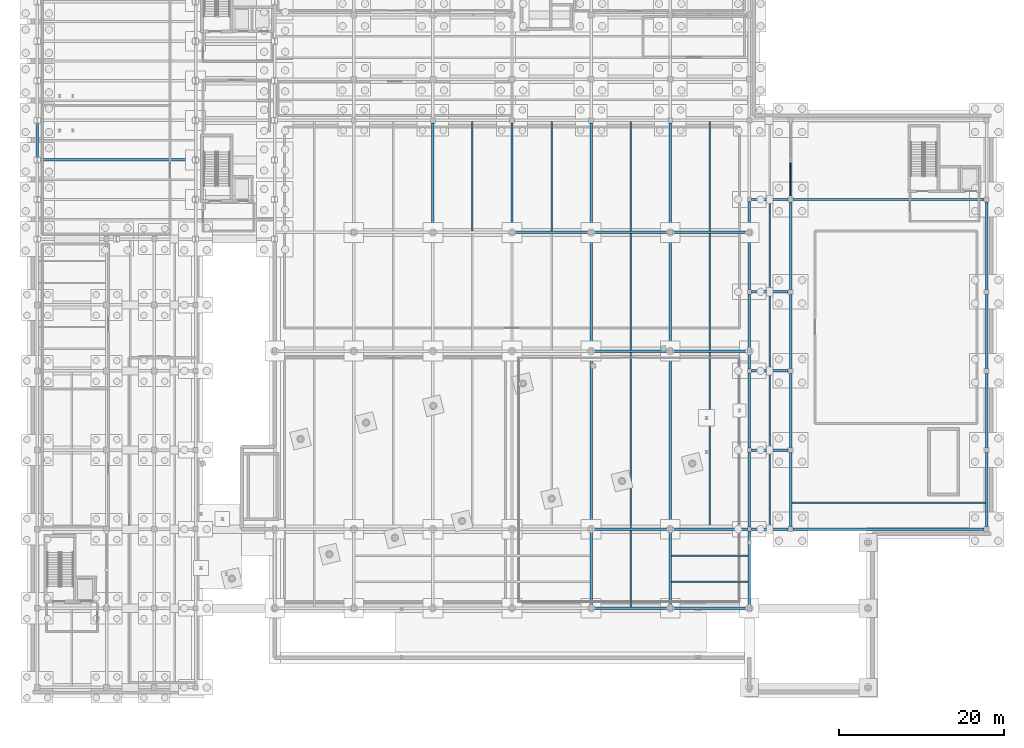
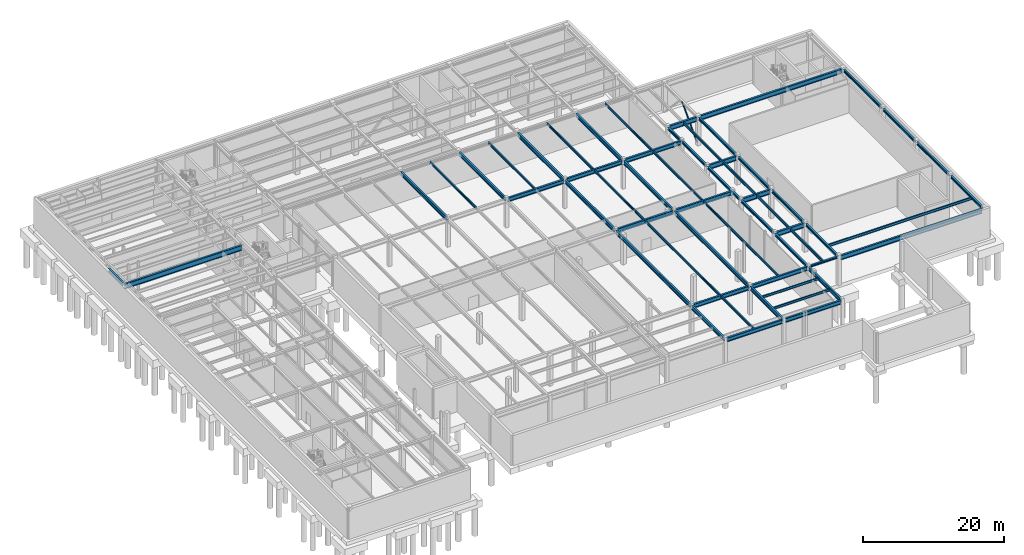
# One storey, part 17 of 33: 57 beams, 1 member.
"""IFC4 building model written with IfcOpenShell, lengths in metres."""

from ifc_helpers import new_model, si_unit, direction, frame, origin, origin_2d, place, context, subcontext, project, spatial, hollow_circle, i_section, extrude, material, material_profile, profile_set, type_object, element, save


model = new_model("IFC4")

# Units and contexts
model_context = context("Model", 3, precision=1e-05, world=origin(), true_north=direction((0.0, 1.0)))
body_context = subcontext(model_context, "Body", "Model", "MODEL_VIEW")
ifc_project = project(units=[si_unit("LENGTHUNIT", "METRE"), si_unit("AREAUNIT", "SQUARE_METRE"), si_unit("VOLUMEUNIT", "CUBIC_METRE"), si_unit("PLANEANGLEUNIT", "RADIAN"), si_unit("MASSUNIT", "GRAM", prefix="KILO")], contexts=[model_context])

# Site, building, storey
site_placement = place(None, origin())
site = spatial("IfcSite", under=ifc_project, at=site_placement, CompositionType="ELEMENT")
building_placement = place(site_placement, origin())
building = spatial("IfcBuilding", under=site, at=building_placement, Name="Nordkorset Police Headquarters", CompositionType="ELEMENT")
storey_placement = place(building_placement, frame((0.0, 0.0, -9.800048828125)))
storey = spatial("IfcBuildingStorey", under=building, at=storey_placement, Name="B02", CompositionType="ELEMENT", Elevation=-9.800048828125)

# Beams
ifc_material_1 = material(Name="Steel S355J2", Category="steel")
ifc_material_profile_1 = material_profile(ifc_material_1, i_section(OverallWidth=0.179931640625, OverallDepth=0.39990234375, WebThickness=0.008544921875, FlangeThickness=0.013427734375, FilletRadius=0.02099609375, at=origin_2d()), Name="IPE 400")
ifc_profile_set_1 = profile_set([ifc_material_profile_1], Name="Steel S355J2")
beam_type_1 = type_object("IfcBeamType", Name="Beam_IPE_400", PredefinedType="BEAM", material=ifc_profile_set_1)
for number, where, z_axis, x_axis, name in (
    (1, (52.800048828125, 84.14990234375, 4.77001953125), (0.0, 1.0, 0.0), (-1.0, 0.0, 0.0), "Composite Floor Beam SUB B02 2-3-1"),
    (2, (62.39990234375, 84.14990234375, 4.77001953125), (0.0, 1.0, 0.0), (-1.0, 0.0, 0.0), "Composite Floor Beam SUB B02 3-3-1"),
):
    element("IfcBeam", number, at=place(storey_placement, frame(where, z_axis=z_axis, x_axis=x_axis)), inside=storey, type_object=beam_type_1, Name=name, PredefinedType="BEAM", context=body_context, shape_type="SweptSolid", body=[
        extrude(i_section(OverallWidth=0.179931640625, OverallDepth=0.39990234375, WebThickness=0.008544921875, FlangeThickness=0.013427734375, FilletRadius=0.02099609375, at=origin_2d()), origin(), (0.0, 0.0, 1.0), 13.300048828125),
    ])
beam_1_placement = place(storey_placement, frame((72.0, 38.550048828125, 4.77001953125), z_axis=(0.0, 1.0, 0.0), x_axis=(-1.0, 0.0, 0.0)))
element("IfcBeam", 3, at=beam_1_placement, inside=storey, type_object=beam_type_1, Name="Composite Floor Beam SUB B02 4-0-1", PredefinedType="BEAM", context=body_context, shape_type="SweptSolid", body=[
    extrude(i_section(OverallWidth=0.179931640625, OverallDepth=0.39990234375, WebThickness=0.008544921875, FlangeThickness=0.013427734375, FilletRadius=0.02099609375, at=origin_2d()), origin(), (0.0, 0.0, 1.0), 9.300048828125),
])
beam_2_placement = place(storey_placement, frame((72.0, 48.14990234375, 4.77001953125), z_axis=(0.0, 1.0, 0.0), x_axis=(-1.0, 0.0, 0.0)))
element("IfcBeam", 4, at=beam_2_placement, inside=storey, type_object=beam_type_1, Name="Composite Floor Beam SUB B02 4-1-1", PredefinedType="BEAM", context=body_context, shape_type="SweptSolid", body=[
    extrude(i_section(OverallWidth=0.179931640625, OverallDepth=0.39990234375, WebThickness=0.008544921875, FlangeThickness=0.013427734375, FilletRadius=0.02099609375, at=origin_2d()), origin(), (0.0, 0.0, 1.0), 21.300048828125),
])
beam_3_placement = place(storey_placement, frame((72.0, 69.75, 4.77001953125), z_axis=(0.0, 1.0, 0.0), x_axis=(-1.0, 0.0, 0.0)))
element("IfcBeam", 5, at=beam_3_placement, inside=storey, type_object=beam_type_1, Name="Composite Floor Beam SUB B02 4-2-1", PredefinedType="BEAM", context=body_context, shape_type="SweptSolid", body=[
    extrude(i_section(OverallWidth=0.179931640625, OverallDepth=0.39990234375, WebThickness=0.008544921875, FlangeThickness=0.013427734375, FilletRadius=0.02099609375, at=origin_2d()), origin(), (0.0, 0.0, 1.0), 14.10009765625),
])
beam_4_placement = place(storey_placement, frame((72.0, 84.14990234375, 4.77001953125), z_axis=(0.0, 1.0, 0.0), x_axis=(-1.0, 0.0, 0.0)))
element("IfcBeam", 6, at=beam_4_placement, inside=storey, type_object=beam_type_1, Name="Composite Floor Beam SUB B02 4-3-1", PredefinedType="BEAM", context=body_context, shape_type="SweptSolid", body=[
    extrude(i_section(OverallWidth=0.179931640625, OverallDepth=0.39990234375, WebThickness=0.008544921875, FlangeThickness=0.013427734375, FilletRadius=0.02099609375, at=origin_2d()), origin(), (0.0, 0.0, 1.0), 13.300048828125),
])
for number, where, z_axis, x_axis, name in (
    (7, (76.949951171875, 41.60009765625, 4.77001953125), (1.0, 0.0, 0.0), (0.0, 1.0, 0.0), "Composite Floor Beam SUB B02 5-0-1"),
    (8, (76.949951171875, 44.800048828125, 4.77001953125), (1.0, 0.0, 0.0), (0.0, 1.0, 0.0), "Composite Floor Beam SUB B02 5-0-2"),
):
    element("IfcBeam", number, at=place(storey_placement, frame(where, z_axis=z_axis, x_axis=x_axis)), inside=storey, type_object=beam_type_1, Name=name, PredefinedType="BEAM", context=body_context, shape_type="SweptSolid", body=[
        extrude(i_section(OverallWidth=0.179931640625, OverallDepth=0.39990234375, WebThickness=0.008544921875, FlangeThickness=0.013427734375, FilletRadius=0.02099609375, at=origin_2d()), origin(), (0.0, 0.0, 1.0), 9.300048828125),
    ])
beam_5_placement = place(storey_placement, frame((81.60009765625, 48.14990234375, 4.77001953125), z_axis=(0.0, 1.0, 0.0), x_axis=(-1.0, 0.0, 0.0)))
element("IfcBeam", 9, at=beam_5_placement, inside=storey, type_object=beam_type_1, Name="Composite Floor Beam SUB B02 5-1-1", PredefinedType="BEAM", context=body_context, shape_type="SweptSolid", body=[
    extrude(i_section(OverallWidth=0.179931640625, OverallDepth=0.39990234375, WebThickness=0.008544921875, FlangeThickness=0.013427734375, FilletRadius=0.02099609375, at=origin_2d()), origin(), (0.0, 0.0, 1.0), 21.300048828125),
])
beam_6_placement = place(storey_placement, frame((81.60009765625, 69.75, 4.77001953125), z_axis=(0.0, 1.0, 0.0), x_axis=(-1.0, 0.0, 0.0)))
element("IfcBeam", 10, at=beam_6_placement, inside=storey, type_object=beam_type_1, Name="Composite Floor Beam SUB B02 5-2-1", PredefinedType="BEAM", context=body_context, shape_type="SweptSolid", body=[
    extrude(i_section(OverallWidth=0.179931640625, OverallDepth=0.39990234375, WebThickness=0.008544921875, FlangeThickness=0.013427734375, FilletRadius=0.02099609375, at=origin_2d()), origin(), (0.0, 0.0, 1.0), 14.10009765625),
])
beam_7_placement = place(storey_placement, frame((81.60009765625, 84.14990234375, 4.77001953125), z_axis=(0.0, 1.0, 0.0), x_axis=(-1.0, 0.0, 0.0)))
element("IfcBeam", 11, at=beam_7_placement, inside=storey, type_object=beam_type_1, Name="Composite Floor Beam SUB B02 5-3-1", PredefinedType="BEAM", context=body_context, shape_type="SweptSolid", body=[
    extrude(i_section(OverallWidth=0.179931640625, OverallDepth=0.39990234375, WebThickness=0.008544921875, FlangeThickness=0.013427734375, FilletRadius=0.02099609375, at=origin_2d()), origin(), (0.0, 0.0, 1.0), 13.300048828125),
])
ifc_material_2 = material(Name="Steel S355J2", Category="steel")
ifc_material_profile_2 = material_profile(ifc_material_2, i_section(OverallWidth=0.18994140625, OverallDepth=0.449951171875, WebThickness=0.009521484375, FlangeThickness=0.0146484375, FilletRadius=0.02099609375, at=origin_2d()), Name="IPE 450")
ifc_profile_set_2 = profile_set([ifc_material_profile_2], Name="Steel S355J2")
beam_type_2 = type_object("IfcBeamType", Name="Beam_IPE_450", PredefinedType="BEAM", material=ifc_profile_set_2)
for number, where, z_axis, x_axis, name in (
    (12, (88.89990234375, 48.14990234375, 4.7451171875), (0.0, 1.0, 0.0), (-1.0, 0.0, 0.0), "Composite Floor Beam V5 B02 0-0-1"),
    (13, (88.89990234375, 57.75, 4.7451171875), (0.0, 1.0, 0.0), (-1.0, 0.0, 0.0), "Composite Floor Beam V5 B02 0-1-1"),
):
    element("IfcBeam", number, at=place(storey_placement, frame(where, z_axis=z_axis, x_axis=x_axis)), inside=storey, type_object=beam_type_2, Name=name, PredefinedType="BEAM", context=body_context, shape_type="SweptSolid", body=[
        extrude(i_section(OverallWidth=0.18994140625, OverallDepth=0.449951171875, WebThickness=0.009521484375, FlangeThickness=0.0146484375, FilletRadius=0.02099609375, at=origin_2d()), origin(), (0.0, 0.0, 1.0), 9.300048828125),
    ])
beam_8_placement = place(storey_placement, frame((88.89990234375, 67.35009765625, 4.7451171875), z_axis=(0.0, 1.0, 0.0), x_axis=(-1.0, 0.0, 0.0)))
element("IfcBeam", 14, at=beam_8_placement, inside=storey, type_object=beam_type_2, Name="Composite Floor Beam V5 B02 0-2-1", PredefinedType="BEAM", context=body_context, shape_type="SweptSolid", body=[
    extrude(i_section(OverallWidth=0.18994140625, OverallDepth=0.449951171875, WebThickness=0.009521484375, FlangeThickness=0.0146484375, FilletRadius=0.02099609375, at=origin_2d()), origin(), (0.0, 0.0, 1.0), 9.2998046875),
])
beam_9_placement = place(storey_placement, frame((88.89990234375, 76.949951171875, 4.7451171875), z_axis=(0.0, 1.0, 0.0), x_axis=(-1.0, 0.0, 0.0)))
element("IfcBeam", 15, at=beam_9_placement, inside=storey, type_object=beam_type_2, Name="Composite Floor Beam V5 B02 0-3-1", PredefinedType="BEAM", context=body_context, shape_type="SweptSolid", body=[
    extrude(i_section(OverallWidth=0.18994140625, OverallDepth=0.449951171875, WebThickness=0.009521484375, FlangeThickness=0.0146484375, FilletRadius=0.02099609375, at=origin_2d()), origin(), (0.0, 0.0, 1.0), 10.900146484375),
])
beam_10_placement = place(storey_placement, frame((91.550048828125, 51.199951171875, 4.7451171875), z_axis=(1.0, 0.0, 0.0), x_axis=(0.0, 1.0, 0.0)))
element("IfcBeam", 16, at=beam_10_placement, inside=storey, type_object=beam_type_2, Name="Composite Floor Beam V5 B02 1-0-1", PredefinedType="BEAM", context=body_context, shape_type="SweptSolid", body=[
    extrude(i_section(OverallWidth=0.18994140625, OverallDepth=0.449951171875, WebThickness=0.009521484375, FlangeThickness=0.0146484375, FilletRadius=0.02099609375, at=origin_2d()), origin(), (0.0, 0.0, 1.0), 23.5),
])

# Member
ifc_material_3 = material(Name="Steel S355J2", Category="steel")
ifc_material_profile_3 = material_profile(ifc_material_3, hollow_circle(Radius=0.109619140625, WallThickness=0.010009765625, at=origin_2d()), Name="CHS 219.1x10")
ifc_profile_set_3 = profile_set([ifc_material_profile_3], Name="Steel S355J2")
member_type = type_object("IfcMemberType", Name="Brace_CHS_219.1x10", PredefinedType="BRACE", material=ifc_profile_set_3)
member_placement = place(storey_placement, frame((91.39990234375, 88.300048828125, 0.199951171875), z_axis=(0.0, 0.688541836645, 0.725196621055), x_axis=(-1.0, 0.0, 0.0)))
element("IfcMember", 17, at=member_placement, inside=storey, type_object=member_type, Name="Lateral Chevron Brace BF-V5-A B02 D1", PredefinedType="BRACE", context=body_context, shape_type="SweptSolid", body=[
    extrude(hollow_circle(Radius=0.109619140625, WallThickness=0.010009765625, at=origin_2d()), origin(), (0.0, 0.0, 1.0), 6.274169921875),
])

# Beams
ifc_material_4 = material(Name="Steel S355J2", Category="steel")
ifc_material_profile_4 = material_profile(ifc_material_4, i_section(OverallWidth=0.300048828125, OverallDepth=0.43994140625, WebThickness=0.011474609375, FlangeThickness=0.02099609375, FilletRadius=0.027099609375, at=origin_2d()), Name="HEA 450")
ifc_profile_set_4 = profile_set([ifc_material_profile_4], Name="Steel S355J2")
beam_type_3 = type_object("IfcBeamType", Name="Girder_HEA_450", PredefinedType="USERDEFINED", material=ifc_profile_set_4)
beam_11_placement = place(storey_placement, frame((86.39990234375, 48.25, 4.75), z_axis=(0.0, 1.0, 0.0), x_axis=(-1.0, 0.0, 0.0)))
element("IfcBeam", 18, at=beam_11_placement, inside=storey, type_object=beam_type_3, Name="Girder V5 B02 GY-0-0", ObjectType="GIRDER", PredefinedType="USERDEFINED", context=body_context, shape_type="SweptSolid", body=[
    extrude(i_section(OverallWidth=0.300048828125, OverallDepth=0.43994140625, WebThickness=0.011474609375, FlangeThickness=0.02099609375, FilletRadius=0.027099609375, at=origin_2d()), origin(), (0.0, 0.0, 1.0), 9.10009765625),
])
beam_12_placement = place(storey_placement, frame((86.39990234375, 57.85009765625, 4.75), z_axis=(0.0, 1.0, 0.0), x_axis=(-1.0, 0.0, 0.0)))
element("IfcBeam", 19, at=beam_12_placement, inside=storey, type_object=beam_type_3, Name="Girder V5 B02 GY-0-1", ObjectType="GIRDER", PredefinedType="USERDEFINED", context=body_context, shape_type="SweptSolid", body=[
    extrude(i_section(OverallWidth=0.300048828125, OverallDepth=0.43994140625, WebThickness=0.011474609375, FlangeThickness=0.02099609375, FilletRadius=0.027099609375, at=origin_2d()), origin(), (0.0, 0.0, 1.0), 9.099853515625),
])
beam_13_placement = place(storey_placement, frame((86.39990234375, 67.449951171875, 4.75), z_axis=(0.0, 1.0, 0.0), x_axis=(-1.0, 0.0, 0.0)))
element("IfcBeam", 20, at=beam_13_placement, inside=storey, type_object=beam_type_3, Name="Girder V5 B02 GY-0-2", ObjectType="GIRDER", PredefinedType="USERDEFINED", context=body_context, shape_type="SweptSolid", body=[
    extrude(i_section(OverallWidth=0.300048828125, OverallDepth=0.43994140625, WebThickness=0.011474609375, FlangeThickness=0.02099609375, FilletRadius=0.027099609375, at=origin_2d()), origin(), (0.0, 0.0, 1.0), 9.10009765625),
])
beam_14_placement = place(storey_placement, frame((86.39990234375, 77.050048828125, 4.75), z_axis=(0.0, 1.0, 0.0), x_axis=(-1.0, 0.0, 0.0)))
element("IfcBeam", 21, at=beam_14_placement, inside=storey, type_object=beam_type_3, Name="Girder V5 B02 GY-0-3", ObjectType="GIRDER", PredefinedType="USERDEFINED", context=body_context, shape_type="SweptSolid", body=[
    extrude(i_section(OverallWidth=0.300048828125, OverallDepth=0.43994140625, WebThickness=0.011474609375, FlangeThickness=0.02099609375, FilletRadius=0.027099609375, at=origin_2d()), origin(), (0.0, 0.0, 1.0), 10.699951171875),
])
for number, where, z_axis, x_axis, name in (
    (22, (91.39990234375, 48.300048828125, 4.75), (0.0, 1.0, 0.0), (-1.0, 0.0, 0.0), "Girder V5 B02 GY-1-0"),
    (23, (91.39990234375, 57.89990234375, 4.75), (0.0, 1.0, 0.0), (-1.0, 0.0, 0.0), "Girder V5 B02 GY-1-1"),
    (24, (91.39990234375, 67.5, 4.75), (0.0, 1.0, 0.0), (-1.0, 0.0, 0.0), "Girder V5 B02 GY-1-2"),
):
    element("IfcBeam", number, at=place(storey_placement, frame(where, z_axis=z_axis, x_axis=x_axis)), inside=storey, type_object=beam_type_3, Name=name, ObjectType="GIRDER", PredefinedType="USERDEFINED", context=body_context, shape_type="SweptSolid", body=[
        extrude(i_section(OverallWidth=0.300048828125, OverallDepth=0.43994140625, WebThickness=0.011474609375, FlangeThickness=0.02099609375, FilletRadius=0.027099609375, at=origin_2d()), origin(), (0.0, 0.0, 1.0), 9.0),
    ])
beam_15_placement = place(storey_placement, frame((91.39990234375, 77.10009765625, 4.75), z_axis=(0.0, 1.0, 0.0), x_axis=(-1.0, 0.0, 0.0)))
element("IfcBeam", 25, at=beam_15_placement, inside=storey, type_object=beam_type_3, Name="Girder V5 B02 GY-1-3", ObjectType="GIRDER", PredefinedType="USERDEFINED", context=body_context, shape_type="SweptSolid", body=[
    extrude(i_section(OverallWidth=0.300048828125, OverallDepth=0.43994140625, WebThickness=0.011474609375, FlangeThickness=0.02099609375, FilletRadius=0.027099609375, at=origin_2d()), origin(), (0.0, 0.0, 1.0), 10.599853515625),
])
for number, where, z_axis, x_axis, name in (
    (26, (115.199951171875, 48.300048828125, 4.75), (0.0, 1.0, 0.0), (-1.0, 0.0, 0.0), "Girder V5 B02 GY-2-0"),
    (27, (115.199951171875, 57.89990234375, 4.75), (0.0, 1.0, 0.0), (-1.0, 0.0, 0.0), "Girder V5 B02 GY-2-1"),
    (28, (115.199951171875, 67.5, 4.75), (0.0, 1.0, 0.0), (-1.0, 0.0, 0.0), "Girder V5 B02 GY-2-2"),
):
    element("IfcBeam", number, at=place(storey_placement, frame(where, z_axis=z_axis, x_axis=x_axis)), inside=storey, type_object=beam_type_3, Name=name, ObjectType="GIRDER", PredefinedType="USERDEFINED", context=body_context, shape_type="SweptSolid", body=[
        extrude(i_section(OverallWidth=0.300048828125, OverallDepth=0.43994140625, WebThickness=0.011474609375, FlangeThickness=0.02099609375, FilletRadius=0.027099609375, at=origin_2d()), origin(), (0.0, 0.0, 1.0), 9.0),
    ])
beam_16_placement = place(storey_placement, frame((115.199951171875, 77.10009765625, 4.75), z_axis=(0.0, 1.0, 0.0), x_axis=(-1.0, 0.0, 0.0)))
element("IfcBeam", 29, at=beam_16_placement, inside=storey, type_object=beam_type_3, Name="Girder V5 B02 GY-2-3", ObjectType="GIRDER", PredefinedType="USERDEFINED", context=body_context, shape_type="SweptSolid", body=[
    extrude(i_section(OverallWidth=0.300048828125, OverallDepth=0.43994140625, WebThickness=0.011474609375, FlangeThickness=0.02099609375, FilletRadius=0.027099609375, at=origin_2d()), origin(), (0.0, 0.0, 1.0), 10.599853515625),
])
ifc_material_5 = material(Name="Steel S355J2", Category="steel")
ifc_material_profile_5 = material_profile(ifc_material_5, i_section(OverallWidth=0.300048828125, OverallDepth=0.5400390625, WebThickness=0.012451171875, FlangeThickness=0.02392578125, FilletRadius=0.027099609375, at=origin_2d()), Name="HEA 550")
ifc_profile_set_5 = profile_set([ifc_material_profile_5], Name="Steel S355J2")
beam_type_4 = type_object("IfcBeamType", Name="Girder_HEA_550", PredefinedType="USERDEFINED", material=ifc_profile_set_5)
beam_17_placement = place(storey_placement, frame((0.0, 93.125, 4.699951171875), z_axis=(0.0, 1.0, 0.0), x_axis=(-1.0, 0.0, 0.0)))
element("IfcBeam", 30, at=beam_17_placement, inside=storey, type_object=beam_type_4, Name="Girder V1 B02 GY-0-2", ObjectType="GIRDER", PredefinedType="USERDEFINED", context=body_context, shape_type="SweptSolid", body=[
    extrude(i_section(OverallWidth=0.300048828125, OverallDepth=0.5400390625, WebThickness=0.012451171875, FlangeThickness=0.02392578125, FilletRadius=0.027099609375, at=origin_2d()), origin(), (0.0, 0.0, 1.0), 4.14990234375),
])
ifc_material_6 = material(Name="Steel S355J2", Category="steel")
ifc_material_profile_6 = material_profile(ifc_material_6, i_section(OverallWidth=0.300048828125, OverallDepth=0.64990234375, WebThickness=0.01611328125, FlangeThickness=0.031005859375, FilletRadius=0.027099609375, at=origin_2d()), Name="HEB 650")
ifc_profile_set_6 = profile_set([ifc_material_profile_6], Name="Steel S355J2")
beam_type_5 = type_object("IfcBeamType", Name="Girder_HEB_650", PredefinedType="USERDEFINED", material=ifc_profile_set_6)
for number, where, z_axis, x_axis, name in (
    (31, (48.0, 84.25, 4.64501953125), (0.0, 1.0, 0.0), (-1.0, 0.0, 0.0), "Girder SUB B02 GY-2-3"),
    (32, (57.60009765625, 84.25, 4.64501953125), (0.0, 1.0, 0.0), (-1.0, 0.0, 0.0), "Girder SUB B02 GY-3-3"),
):
    element("IfcBeam", number, at=place(storey_placement, frame(where, z_axis=z_axis, x_axis=x_axis)), inside=storey, type_object=beam_type_5, Name=name, ObjectType="GIRDER", PredefinedType="USERDEFINED", context=body_context, shape_type="SweptSolid", body=[
        extrude(i_section(OverallWidth=0.300048828125, OverallDepth=0.64990234375, WebThickness=0.01611328125, FlangeThickness=0.031005859375, FilletRadius=0.027099609375, at=origin_2d()), origin(), (0.0, 0.0, 1.0), 13.050048828125),
    ])
beam_18_placement = place(storey_placement, frame((67.199951171875, 38.64990234375, 4.64501953125), z_axis=(0.0, 1.0, 0.0), x_axis=(-1.0, 0.0, 0.0)))
element("IfcBeam", 33, at=beam_18_placement, inside=storey, type_object=beam_type_5, Name="Girder SUB B02 GY-4-0", ObjectType="GIRDER", PredefinedType="USERDEFINED", context=body_context, shape_type="SweptSolid", body=[
    extrude(i_section(OverallWidth=0.300048828125, OverallDepth=0.64990234375, WebThickness=0.01611328125, FlangeThickness=0.031005859375, FilletRadius=0.027099609375, at=origin_2d()), origin(), (0.0, 0.0, 1.0), 9.10009765625),
])
beam_19_placement = place(storey_placement, frame((67.199951171875, 48.25, 4.64501953125), z_axis=(0.0, 1.0, 0.0), x_axis=(-1.0, 0.0, 0.0)))
element("IfcBeam", 34, at=beam_19_placement, inside=storey, type_object=beam_type_5, Name="Girder SUB B02 GY-4-1", ObjectType="GIRDER", PredefinedType="USERDEFINED", context=body_context, shape_type="SweptSolid", body=[
    extrude(i_section(OverallWidth=0.300048828125, OverallDepth=0.64990234375, WebThickness=0.01611328125, FlangeThickness=0.031005859375, FilletRadius=0.027099609375, at=origin_2d()), origin(), (0.0, 0.0, 1.0), 21.10009765625),
])
beam_20_placement = place(storey_placement, frame((67.199951171875, 69.85009765625, 4.64501953125), z_axis=(0.0, 1.0, 0.0), x_axis=(-1.0, 0.0, 0.0)))
element("IfcBeam", 35, at=beam_20_placement, inside=storey, type_object=beam_type_5, Name="Girder SUB B02 GY-4-2", ObjectType="GIRDER", PredefinedType="USERDEFINED", context=body_context, shape_type="SweptSolid", body=[
    extrude(i_section(OverallWidth=0.300048828125, OverallDepth=0.64990234375, WebThickness=0.01611328125, FlangeThickness=0.031005859375, FilletRadius=0.027099609375, at=origin_2d()), origin(), (0.0, 0.0, 1.0), 13.89990234375),
])
beam_21_placement = place(storey_placement, frame((67.199951171875, 84.25, 4.64501953125), z_axis=(0.0, 1.0, 0.0), x_axis=(-1.0, 0.0, 0.0)))
element("IfcBeam", 36, at=beam_21_placement, inside=storey, type_object=beam_type_5, Name="Girder SUB B02 GY-4-3", ObjectType="GIRDER", PredefinedType="USERDEFINED", context=body_context, shape_type="SweptSolid", body=[
    extrude(i_section(OverallWidth=0.300048828125, OverallDepth=0.64990234375, WebThickness=0.01611328125, FlangeThickness=0.031005859375, FilletRadius=0.027099609375, at=origin_2d()), origin(), (0.0, 0.0, 1.0), 13.050048828125),
])
beam_22_placement = place(storey_placement, frame((76.800048828125, 38.64990234375, 4.64501953125), z_axis=(0.0, 1.0, 0.0), x_axis=(-1.0, 0.0, 0.0)))
element("IfcBeam", 37, at=beam_22_placement, inside=storey, type_object=beam_type_5, Name="Girder SUB B02 GY-5-0", ObjectType="GIRDER", PredefinedType="USERDEFINED", context=body_context, shape_type="SweptSolid", body=[
    extrude(i_section(OverallWidth=0.300048828125, OverallDepth=0.64990234375, WebThickness=0.01611328125, FlangeThickness=0.031005859375, FilletRadius=0.027099609375, at=origin_2d()), origin(), (0.0, 0.0, 1.0), 9.10009765625),
])
beam_23_placement = place(storey_placement, frame((76.800048828125, 48.25, 4.64501953125), z_axis=(0.0, 1.0, 0.0), x_axis=(-1.0, 0.0, 0.0)))
element("IfcBeam", 38, at=beam_23_placement, inside=storey, type_object=beam_type_5, Name="Girder SUB B02 GY-5-1", ObjectType="GIRDER", PredefinedType="USERDEFINED", context=body_context, shape_type="SweptSolid", body=[
    extrude(i_section(OverallWidth=0.300048828125, OverallDepth=0.64990234375, WebThickness=0.01611328125, FlangeThickness=0.031005859375, FilletRadius=0.027099609375, at=origin_2d()), origin(), (0.0, 0.0, 1.0), 21.10009765625),
])
beam_24_placement = place(storey_placement, frame((76.800048828125, 69.85009765625, 4.64501953125), z_axis=(0.0, 1.0, 0.0), x_axis=(-1.0, 0.0, 0.0)))
element("IfcBeam", 39, at=beam_24_placement, inside=storey, type_object=beam_type_5, Name="Girder SUB B02 GY-5-2", ObjectType="GIRDER", PredefinedType="USERDEFINED", context=body_context, shape_type="SweptSolid", body=[
    extrude(i_section(OverallWidth=0.300048828125, OverallDepth=0.64990234375, WebThickness=0.01611328125, FlangeThickness=0.031005859375, FilletRadius=0.027099609375, at=origin_2d()), origin(), (0.0, 0.0, 1.0), 13.89990234375),
])
beam_25_placement = place(storey_placement, frame((76.800048828125, 84.25, 4.64501953125), z_axis=(0.0, 1.0, 0.0), x_axis=(-1.0, 0.0, 0.0)))
element("IfcBeam", 40, at=beam_25_placement, inside=storey, type_object=beam_type_5, Name="Girder SUB B02 GY-5-3", ObjectType="GIRDER", PredefinedType="USERDEFINED", context=body_context, shape_type="SweptSolid", body=[
    extrude(i_section(OverallWidth=0.300048828125, OverallDepth=0.64990234375, WebThickness=0.01611328125, FlangeThickness=0.031005859375, FilletRadius=0.027099609375, at=origin_2d()), origin(), (0.0, 0.0, 1.0), 13.050048828125),
])
beam_26_placement = place(storey_placement, frame((86.39990234375, 38.64990234375, 4.64501953125), z_axis=(0.0, 1.0, 0.0), x_axis=(-1.0, 0.0, 0.0)))
element("IfcBeam", 41, at=beam_26_placement, inside=storey, type_object=beam_type_5, Name="Girder SUB B02 GY-6-0", ObjectType="GIRDER", PredefinedType="USERDEFINED", context=body_context, shape_type="SweptSolid", body=[
    extrude(i_section(OverallWidth=0.300048828125, OverallDepth=0.64990234375, WebThickness=0.01611328125, FlangeThickness=0.031005859375, FilletRadius=0.027099609375, at=origin_2d()), origin(), (0.0, 0.0, 1.0), 9.10009765625),
])
ifc_material_7 = material(Name="Steel S355J2", Category="steel")
ifc_material_profile_7 = material_profile(ifc_material_7, i_section(OverallWidth=0.300048828125, OverallDepth=0.699951171875, WebThickness=0.01708984375, FlangeThickness=0.031982421875, FilletRadius=0.027099609375, at=origin_2d()), Name="HEB 700")
ifc_profile_set_7 = profile_set([ifc_material_profile_7], Name="Steel S355J2")
beam_type_6 = type_object("IfcBeamType", Name="Girder_HEB_700", PredefinedType="USERDEFINED", material=ifc_profile_set_7)
beam_27_placement = place(storey_placement, frame((67.449951171875, 38.39990234375, 4.6201171875), z_axis=(1.0, 0.0, 0.0), x_axis=(0.0, 1.0, 0.0)))
element("IfcBeam", 42, at=beam_27_placement, inside=storey, type_object=beam_type_6, Name="Girder SUB B02 GX-0-4", ObjectType="GIRDER", PredefinedType="USERDEFINED", context=body_context, shape_type="SweptSolid", body=[
    extrude(i_section(OverallWidth=0.300048828125, OverallDepth=0.699951171875, WebThickness=0.01708984375, FlangeThickness=0.031982421875, FilletRadius=0.027099609375, at=origin_2d()), origin(), (0.0, 0.0, 1.0), 9.10009765625),
])
beam_28_placement = place(storey_placement, frame((77.050048828125, 38.39990234375, 4.6201171875), z_axis=(1.0, 0.0, 0.0), x_axis=(0.0, 1.0, 0.0)))
element("IfcBeam", 43, at=beam_28_placement, inside=storey, type_object=beam_type_6, Name="Girder SUB B02 GX-0-5", ObjectType="GIRDER", PredefinedType="USERDEFINED", context=body_context, shape_type="SweptSolid", body=[
    extrude(i_section(OverallWidth=0.300048828125, OverallDepth=0.699951171875, WebThickness=0.01708984375, FlangeThickness=0.031982421875, FilletRadius=0.027099609375, at=origin_2d()), origin(), (0.0, 0.0, 1.0), 9.099853515625),
])
beam_29_placement = place(storey_placement, frame((67.449951171875, 48.0, 4.6201171875), z_axis=(1.0, 0.0, 0.0), x_axis=(0.0, 1.0, 0.0)))
element("IfcBeam", 44, at=beam_29_placement, inside=storey, type_object=beam_type_6, Name="Girder SUB B02 GX-1-4", ObjectType="GIRDER", PredefinedType="USERDEFINED", context=body_context, shape_type="SweptSolid", body=[
    extrude(i_section(OverallWidth=0.300048828125, OverallDepth=0.699951171875, WebThickness=0.01708984375, FlangeThickness=0.031982421875, FilletRadius=0.027099609375, at=origin_2d()), origin(), (0.0, 0.0, 1.0), 9.10009765625),
])
beam_30_placement = place(storey_placement, frame((77.050048828125, 48.0, 4.6201171875), z_axis=(1.0, 0.0, 0.0), x_axis=(0.0, 1.0, 0.0)))
element("IfcBeam", 45, at=beam_30_placement, inside=storey, type_object=beam_type_6, Name="Girder SUB B02 GX-1-5", ObjectType="GIRDER", PredefinedType="USERDEFINED", context=body_context, shape_type="SweptSolid", body=[
    extrude(i_section(OverallWidth=0.300048828125, OverallDepth=0.699951171875, WebThickness=0.01708984375, FlangeThickness=0.031982421875, FilletRadius=0.027099609375, at=origin_2d()), origin(), (0.0, 0.0, 1.0), 9.099853515625),
])
beam_31_placement = place(storey_placement, frame((67.449951171875, 69.60009765625, 4.6201171875), z_axis=(1.0, 0.0, 0.0), x_axis=(0.0, 1.0, 0.0)))
element("IfcBeam", 46, at=beam_31_placement, inside=storey, type_object=beam_type_6, Name="Girder SUB B02 GX-2-4", ObjectType="GIRDER", PredefinedType="USERDEFINED", context=body_context, shape_type="SweptSolid", body=[
    extrude(i_section(OverallWidth=0.300048828125, OverallDepth=0.699951171875, WebThickness=0.01708984375, FlangeThickness=0.031982421875, FilletRadius=0.027099609375, at=origin_2d()), origin(), (0.0, 0.0, 1.0), 9.10009765625),
])
for number, where, z_axis, x_axis, name in (
    (47, (77.050048828125, 69.60009765625, 4.6201171875), (1.0, 0.0, 0.0), (0.0, 1.0, 0.0), "Girder SUB B02 GX-2-5"),
    (48, (57.85009765625, 84.0, 4.6201171875), (1.0, 0.0, 0.0), (0.0, 1.0, 0.0), "Girder SUB B02 GX-3-3"),
):
    element("IfcBeam", number, at=place(storey_placement, frame(where, z_axis=z_axis, x_axis=x_axis)), inside=storey, type_object=beam_type_6, Name=name, ObjectType="GIRDER", PredefinedType="USERDEFINED", context=body_context, shape_type="SweptSolid", body=[
        extrude(i_section(OverallWidth=0.300048828125, OverallDepth=0.699951171875, WebThickness=0.01708984375, FlangeThickness=0.031982421875, FilletRadius=0.027099609375, at=origin_2d()), origin(), (0.0, 0.0, 1.0), 9.099853515625),
    ])
beam_32_placement = place(storey_placement, frame((67.449951171875, 84.0, 4.6201171875), z_axis=(1.0, 0.0, 0.0), x_axis=(0.0, 1.0, 0.0)))
element("IfcBeam", 49, at=beam_32_placement, inside=storey, type_object=beam_type_6, Name="Girder SUB B02 GX-3-4", ObjectType="GIRDER", PredefinedType="USERDEFINED", context=body_context, shape_type="SweptSolid", body=[
    extrude(i_section(OverallWidth=0.300048828125, OverallDepth=0.699951171875, WebThickness=0.01708984375, FlangeThickness=0.031982421875, FilletRadius=0.027099609375, at=origin_2d()), origin(), (0.0, 0.0, 1.0), 9.10009765625),
])
beam_33_placement = place(storey_placement, frame((77.050048828125, 84.0, 4.6201171875), z_axis=(1.0, 0.0, 0.0), x_axis=(0.0, 1.0, 0.0)))
element("IfcBeam", 50, at=beam_33_placement, inside=storey, type_object=beam_type_6, Name="Girder SUB B02 GX-3-5", ObjectType="GIRDER", PredefinedType="USERDEFINED", context=body_context, shape_type="SweptSolid", body=[
    extrude(i_section(OverallWidth=0.300048828125, OverallDepth=0.699951171875, WebThickness=0.01708984375, FlangeThickness=0.031982421875, FilletRadius=0.027099609375, at=origin_2d()), origin(), (0.0, 0.0, 1.0), 9.099853515625),
])
ifc_material_8 = material(Name="Steel S355J2", Category="steel")
ifc_material_profile_8 = material_profile(ifc_material_8, i_section(OverallWidth=0.300048828125, OverallDepth=0.800048828125, WebThickness=0.017578125, FlangeThickness=0.032958984375, FilletRadius=0.030029296875, at=origin_2d()), Name="HEB 800")
ifc_profile_set_8 = profile_set([ifc_material_profile_8], Name="Steel S355J2")
beam_type_7 = type_object("IfcBeamType", Name="Girder_HEB_800", PredefinedType="USERDEFINED", material=ifc_profile_set_8)
beam_34_placement = place(storey_placement, frame((91.699951171875, 48.0, 4.570068359375), z_axis=(1.0, 0.0, 0.0), x_axis=(0.0, 1.0, 0.0)))
element("IfcBeam", 51, at=beam_34_placement, inside=storey, type_object=beam_type_7, Name="Girder V5 B02 GX-0-1", ObjectType="GIRDER", PredefinedType="USERDEFINED", context=body_context, shape_type="SweptSolid", body=[
    extrude(i_section(OverallWidth=0.300048828125, OverallDepth=0.800048828125, WebThickness=0.017578125, FlangeThickness=0.032958984375, FilletRadius=0.030029296875, at=origin_2d()), origin(), (0.0, 0.0, 1.0), 23.199951171875),
])
for number, where, z_axis, x_axis, name in (
    (52, (86.64990234375, 57.60009765625, 4.570068359375), (1.0, 0.0, 0.0), (0.0, 1.0, 0.0), "Girder V5 B02 GX-1-0"),
    (53, (86.64990234375, 67.199951171875, 4.570068359375), (1.0, 0.0, 0.0), (0.0, 1.0, 0.0), "Girder V5 B02 GX-2-0"),
    (54, (86.64990234375, 76.800048828125, 4.570068359375), (1.0, 0.0, 0.0), (0.0, 1.0, 0.0), "Girder V5 B02 GX-3-0"),
    (55, (86.64990234375, 88.0, 4.570068359375), (1.0, 0.0, 0.0), (0.0, 1.0, 0.0), "Girder V5 B02 GX-4-0"),
):
    element("IfcBeam", number, at=place(storey_placement, frame(where, z_axis=z_axis, x_axis=x_axis)), inside=storey, type_object=beam_type_7, Name=name, ObjectType="GIRDER", PredefinedType="USERDEFINED", context=body_context, shape_type="SweptSolid", body=[
        extrude(i_section(OverallWidth=0.300048828125, OverallDepth=0.800048828125, WebThickness=0.017578125, FlangeThickness=0.032958984375, FilletRadius=0.030029296875, at=origin_2d()), origin(), (0.0, 0.0, 1.0), 4.4501953125),
    ])
beam_35_placement = place(storey_placement, frame((91.699951171875, 88.0, 4.570068359375), z_axis=(1.0, 0.0, 0.0), x_axis=(0.0, 1.0, 0.0)))
element("IfcBeam", 56, at=beam_35_placement, inside=storey, type_object=beam_type_7, Name="Girder V5 B02 GX-4-1", ObjectType="GIRDER", PredefinedType="USERDEFINED", context=body_context, shape_type="SweptSolid", body=[
    extrude(i_section(OverallWidth=0.300048828125, OverallDepth=0.800048828125, WebThickness=0.017578125, FlangeThickness=0.032958984375, FilletRadius=0.030029296875, at=origin_2d()), origin(), (0.0, 0.0, 1.0), 23.199951171875),
])
ifc_material_9 = material(Name="Steel S355J2", Category="steel")
ifc_material_profile_9 = material_profile(ifc_material_9, i_section(OverallWidth=0.300048828125, OverallDepth=0.89990234375, WebThickness=0.0185546875, FlangeThickness=0.034912109375, FilletRadius=0.030029296875, at=origin_2d()), Name="HEB 900")
ifc_profile_set_9 = profile_set([ifc_material_profile_9], Name="Steel S355J2")
beam_type_8 = type_object("IfcBeamType", Name="Girder_HEB_900", PredefinedType="USERDEFINED", material=ifc_profile_set_9)
beam_36_placement = place(storey_placement, frame((0.008056640625, 92.800048828125, 4.52001953125), z_axis=(1.0, 0.0, 0.0), x_axis=(0.0, 1.0, 0.0)))
element("IfcBeam", 57, at=beam_36_placement, inside=storey, type_object=beam_type_8, Name="Girder V1 B02 GX-2-0", ObjectType="GIRDER", PredefinedType="USERDEFINED", context=body_context, shape_type="SweptSolid", body=[
    extrude(i_section(OverallWidth=0.300048828125, OverallDepth=0.89990234375, WebThickness=0.0185546875, FlangeThickness=0.034912109375, FilletRadius=0.030029296875, at=origin_2d()), origin(), (0.0, 0.0, 1.0), 19.183837890625),
])
ifc_material_10 = material(Name="Steel S355J2", Category="steel")
ifc_material_profile_10 = material_profile(ifc_material_10, i_section(OverallWidth=0.300048828125, OverallDepth=0.31005859375, WebThickness=0.009033203125, FlangeThickness=0.015380859375, FilletRadius=0.027099609375, at=origin_2d()), Name="HEA 320")
ifc_profile_set_10 = profile_set([ifc_material_profile_10], Name="Steel S355J2")
beam_type_9 = type_object("IfcBeamType", Name="Spandrel_HEA_320", PredefinedType="SPANDREL", material=ifc_profile_set_10)
beam_37_placement = place(storey_placement, frame((86.64990234375, 48.0, 4.81494140625), z_axis=(1.0, 0.0, 0.0), x_axis=(0.0, 1.0, 0.0)))
element("IfcBeam", 58, at=beam_37_placement, inside=storey, type_object=beam_type_9, Name="Girder V5 B02 GX-0-0", PredefinedType="SPANDREL", context=body_context, shape_type="SweptSolid", body=[
    extrude(i_section(OverallWidth=0.300048828125, OverallDepth=0.31005859375, WebThickness=0.009033203125, FlangeThickness=0.015380859375, FilletRadius=0.027099609375, at=origin_2d()), origin(), (0.0, 0.0, 1.0), 4.4501953125),
])

save(model, "model.ifc")
